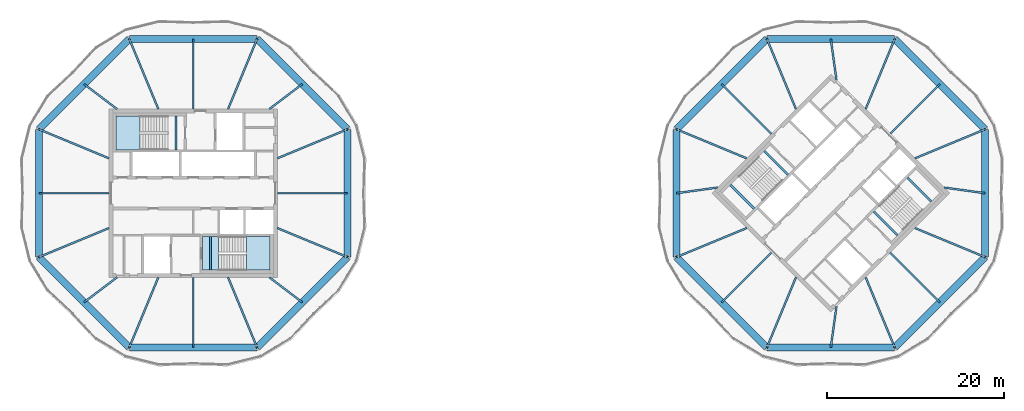
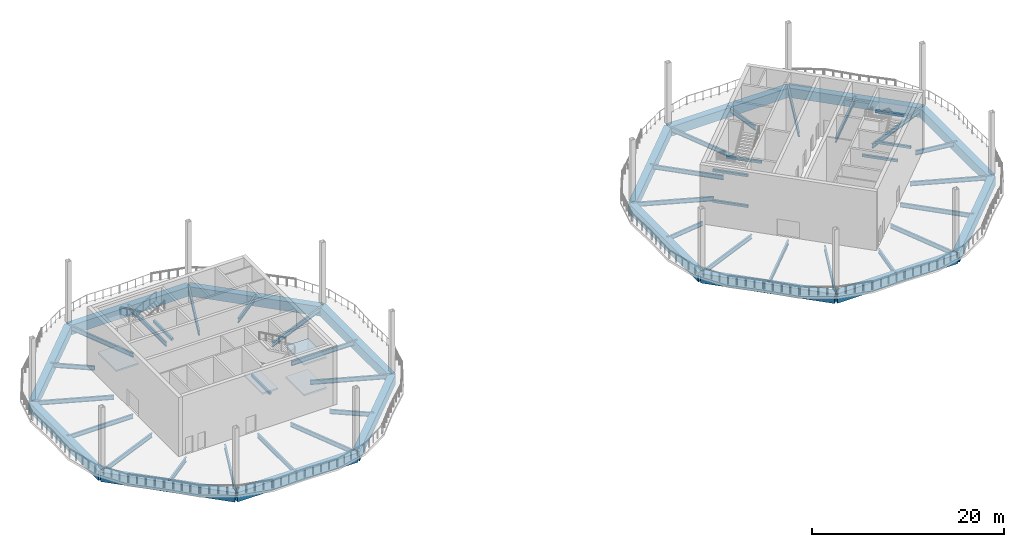
# One storey, part 3 of 12: 56 beams, 4 slabs, 2 elements without a shape of their own.
"""IFC4 building model written with IfcOpenShell, lengths in metres."""

from ifc_helpers import new_model, si_unit, direction, frame, origin, origin_2d, place, context, subcontext, project, spatial, polyline, rectangle, hollow_rectangle, i_section, outline, extrude, material, layer, layer_set, material_profile, profile_set, type_object, element, aggregate, save


model = new_model("IFC4")

# Units and contexts
model_context = context("Model", 3, precision=1e-05, world=origin(), true_north=direction((0.0, 1.0)))
body_context = subcontext(model_context, "Body", "Model", "MODEL_VIEW")
ifc_project = project(units=[si_unit("LENGTHUNIT", "METRE"), si_unit("AREAUNIT", "SQUARE_METRE"), si_unit("VOLUMEUNIT", "CUBIC_METRE"), si_unit("PLANEANGLEUNIT", "RADIAN"), si_unit("MASSUNIT", "GRAM", prefix="KILO")], contexts=[model_context])

# Site, building, storey
site_placement = place(None, origin())
site = spatial("IfcSite", under=ifc_project, at=site_placement, CompositionType="ELEMENT")
building_placement = place(site_placement, origin())
building = spatial("IfcBuilding", under=site, at=building_placement, Name="Ogive Gate Towers", CompositionType="ELEMENT")
storey_placement = place(building_placement, frame((0.0, 0.0, 248.39990234375)))
storey = spatial("IfcBuildingStorey", under=building, at=storey_placement, Name="L59", CompositionType="ELEMENT", Elevation=248.39990234375)

# Beams
ifc_material_1 = material(Name="Steel SM460", Category="steel")
ifc_material_profile_1 = material_profile(ifc_material_1, hollow_rectangle(XDim=0.800048828125, YDim=1.199951171875, WallThickness=0.050048828125, at=origin_2d()), Name="BX 1200x800x50")
ifc_profile_set_1 = profile_set([ifc_material_profile_1], Name="Steel SM460")
beam_type_1 = type_object("IfcBeamType", Name="Edge girder BX 1200x800x50", PredefinedType="BEAM", material=ifc_profile_set_1)
beam_1_placement = place(storey_placement, frame((-53.42431640625, -7.217529296875, -0.89990234375), z_axis=(0.707106781187, -0.707106781187, 0.0), x_axis=(0.707106781187, 0.707106781187, 0.0)))
element("IfcBeam", 1, at=beam_1_placement, inside=storey, type_object=beam_type_1, Name="T1/L59/SBM017", PredefinedType="BEAM", context=body_context, shape_type="SweptSolid", body=[
    extrude(hollow_rectangle(XDim=0.800048828125, YDim=1.199951171875, WallThickness=0.050048828125, at=origin_2d()), origin(), (0.0, 0.0, 1.0), 14.4345703125),
])
beam_2_placement = place(storey_placement, frame((-43.217529296875, -17.42431640625, -0.89990234375), z_axis=(1.0, 0.0, 0.0), x_axis=(0.0, 1.0, 0.0)))
element("IfcBeam", 2, at=beam_2_placement, inside=storey, type_object=beam_type_1, Name="T1/L59/SBM018", PredefinedType="BEAM", context=body_context, shape_type="SweptSolid", body=[
    extrude(hollow_rectangle(XDim=0.800048828125, YDim=1.199951171875, WallThickness=0.050048828125, at=origin_2d()), origin(), (0.0, 0.0, 1.0), 14.43505859375),
])
beam_3_placement = place(storey_placement, frame((-28.782470703125, -17.42431640625, -0.89990234375), z_axis=(0.707106781187, 0.707106781187, 0.0), x_axis=(-0.707106781187, 0.707106781187, 0.0)))
element("IfcBeam", 3, at=beam_3_placement, inside=storey, type_object=beam_type_1, Name="T1/L59/SBM019", PredefinedType="BEAM", context=body_context, shape_type="SweptSolid", body=[
    extrude(hollow_rectangle(XDim=0.800048828125, YDim=1.199951171875, WallThickness=0.050048828125, at=origin_2d()), origin(), (0.0, 0.0, 1.0), 14.4345703125),
])
beam_4_placement = place(storey_placement, frame((-18.57568359375, -7.217529296875, -0.89990234375), z_axis=(0.0, 1.0, 0.0), x_axis=(-1.0, 0.0, 0.0)))
element("IfcBeam", 4, at=beam_4_placement, inside=storey, type_object=beam_type_1, Name="T1/L59/SBM020", PredefinedType="BEAM", context=body_context, shape_type="SweptSolid", body=[
    extrude(hollow_rectangle(XDim=0.800048828125, YDim=1.199951171875, WallThickness=0.050048828125, at=origin_2d()), origin(), (0.0, 0.0, 1.0), 14.43505859375),
])
beam_5_placement = place(storey_placement, frame((-18.57568359375, 7.217529296875, -0.89990234375), z_axis=(-0.707106781187, 0.707106781187, 0.0), x_axis=(-0.707106781187, -0.707106781187, 0.0)))
element("IfcBeam", 5, at=beam_5_placement, inside=storey, type_object=beam_type_1, Name="T1/L59/SBM021", PredefinedType="BEAM", context=body_context, shape_type="SweptSolid", body=[
    extrude(hollow_rectangle(XDim=0.800048828125, YDim=1.199951171875, WallThickness=0.050048828125, at=origin_2d()), origin(), (0.0, 0.0, 1.0), 14.4345703125),
])
beam_6_placement = place(storey_placement, frame((-28.782470703125, 17.42431640625, -0.89990234375), z_axis=(-1.0, 0.0, 0.0), x_axis=(0.0, -1.0, 0.0)))
element("IfcBeam", 6, at=beam_6_placement, inside=storey, type_object=beam_type_1, Name="T1/L59/SBM022", PredefinedType="BEAM", context=body_context, shape_type="SweptSolid", body=[
    extrude(hollow_rectangle(XDim=0.800048828125, YDim=1.199951171875, WallThickness=0.050048828125, at=origin_2d()), origin(), (0.0, 0.0, 1.0), 14.43505859375),
])
beam_7_placement = place(storey_placement, frame((-43.217529296875, 17.42431640625, -0.89990234375), z_axis=(-0.707106781187, -0.707106781187, 0.0), x_axis=(0.707106781187, -0.707106781187, 0.0)))
element("IfcBeam", 7, at=beam_7_placement, inside=storey, type_object=beam_type_1, Name="T1/L59/SBM023", PredefinedType="BEAM", context=body_context, shape_type="SweptSolid", body=[
    extrude(hollow_rectangle(XDim=0.800048828125, YDim=1.199951171875, WallThickness=0.050048828125, at=origin_2d()), origin(), (0.0, 0.0, 1.0), 14.4345703125),
])
beam_8_placement = place(storey_placement, frame((-53.42431640625, 7.217529296875, -0.89990234375), z_axis=(0.0, -1.0, 0.0), x_axis=(1.0, 0.0, 0.0)))
element("IfcBeam", 8, at=beam_8_placement, inside=storey, type_object=beam_type_1, Name="T1/L59/SBM024", PredefinedType="BEAM", context=body_context, shape_type="SweptSolid", body=[
    extrude(hollow_rectangle(XDim=0.800048828125, YDim=1.199951171875, WallThickness=0.050048828125, at=origin_2d()), origin(), (0.0, 0.0, 1.0), 14.43505859375),
])
beam_9_placement = place(storey_placement, frame((18.57568359375, -7.217529296875, -0.89990234375), z_axis=(0.707106781187, -0.707106781187, 0.0), x_axis=(0.707106781187, 0.707106781187, 0.0)))
element("IfcBeam", 9, at=beam_9_placement, inside=storey, type_object=beam_type_1, Name="T2/L59/SBM017", PredefinedType="BEAM", context=body_context, shape_type="SweptSolid", body=[
    extrude(hollow_rectangle(XDim=0.800048828125, YDim=1.199951171875, WallThickness=0.050048828125, at=origin_2d()), origin(), (0.0, 0.0, 1.0), 14.4345703125),
])
beam_10_placement = place(storey_placement, frame((28.782470703125, -17.42431640625, -0.89990234375), z_axis=(1.0, 0.0, 0.0), x_axis=(0.0, 1.0, 0.0)))
element("IfcBeam", 10, at=beam_10_placement, inside=storey, type_object=beam_type_1, Name="T2/L59/SBM018", PredefinedType="BEAM", context=body_context, shape_type="SweptSolid", body=[
    extrude(hollow_rectangle(XDim=0.800048828125, YDim=1.199951171875, WallThickness=0.050048828125, at=origin_2d()), origin(), (0.0, 0.0, 1.0), 14.43505859375),
])
beam_11_placement = place(storey_placement, frame((43.217529296875, -17.42431640625, -0.89990234375), z_axis=(0.707106781187, 0.707106781187, 0.0), x_axis=(-0.707106781187, 0.707106781187, 0.0)))
element("IfcBeam", 11, at=beam_11_placement, inside=storey, type_object=beam_type_1, Name="T2/L59/SBM019", PredefinedType="BEAM", context=body_context, shape_type="SweptSolid", body=[
    extrude(hollow_rectangle(XDim=0.800048828125, YDim=1.199951171875, WallThickness=0.050048828125, at=origin_2d()), origin(), (0.0, 0.0, 1.0), 14.4345703125),
])
beam_12_placement = place(storey_placement, frame((53.42431640625, -7.217529296875, -0.89990234375), z_axis=(0.0, 1.0, 0.0), x_axis=(-1.0, 0.0, 0.0)))
element("IfcBeam", 12, at=beam_12_placement, inside=storey, type_object=beam_type_1, Name="T2/L59/SBM020", PredefinedType="BEAM", context=body_context, shape_type="SweptSolid", body=[
    extrude(hollow_rectangle(XDim=0.800048828125, YDim=1.199951171875, WallThickness=0.050048828125, at=origin_2d()), origin(), (0.0, 0.0, 1.0), 14.43505859375),
])
beam_13_placement = place(storey_placement, frame((53.42431640625, 7.217529296875, -0.89990234375), z_axis=(-0.707106781187, 0.707106781187, 0.0), x_axis=(-0.707106781187, -0.707106781187, 0.0)))
element("IfcBeam", 13, at=beam_13_placement, inside=storey, type_object=beam_type_1, Name="T2/L59/SBM021", PredefinedType="BEAM", context=body_context, shape_type="SweptSolid", body=[
    extrude(hollow_rectangle(XDim=0.800048828125, YDim=1.199951171875, WallThickness=0.050048828125, at=origin_2d()), origin(), (0.0, 0.0, 1.0), 14.4345703125),
])
beam_14_placement = place(storey_placement, frame((43.217529296875, 17.42431640625, -0.89990234375), z_axis=(-1.0, 0.0, 0.0), x_axis=(0.0, -1.0, 0.0)))
element("IfcBeam", 14, at=beam_14_placement, inside=storey, type_object=beam_type_1, Name="T2/L59/SBM022", PredefinedType="BEAM", context=body_context, shape_type="SweptSolid", body=[
    extrude(hollow_rectangle(XDim=0.800048828125, YDim=1.199951171875, WallThickness=0.050048828125, at=origin_2d()), origin(), (0.0, 0.0, 1.0), 14.43505859375),
])
beam_15_placement = place(storey_placement, frame((28.782470703125, 17.42431640625, -0.89990234375), z_axis=(-0.707106781187, -0.707106781187, 0.0), x_axis=(0.707106781187, -0.707106781187, 0.0)))
element("IfcBeam", 15, at=beam_15_placement, inside=storey, type_object=beam_type_1, Name="T2/L59/SBM023", PredefinedType="BEAM", context=body_context, shape_type="SweptSolid", body=[
    extrude(hollow_rectangle(XDim=0.800048828125, YDim=1.199951171875, WallThickness=0.050048828125, at=origin_2d()), origin(), (0.0, 0.0, 1.0), 14.4345703125),
])
beam_16_placement = place(storey_placement, frame((18.57568359375, 7.217529296875, -0.89990234375), z_axis=(0.0, -1.0, 0.0), x_axis=(1.0, 0.0, 0.0)))
element("IfcBeam", 16, at=beam_16_placement, inside=storey, type_object=beam_type_1, Name="T2/L59/SBM024", PredefinedType="BEAM", context=body_context, shape_type="SweptSolid", body=[
    extrude(hollow_rectangle(XDim=0.800048828125, YDim=1.199951171875, WallThickness=0.050048828125, at=origin_2d()), origin(), (0.0, 0.0, 1.0), 14.43505859375),
])
ifc_material_2 = material(Name="Concrete C40/50", Category="concrete")
ifc_material_profile_2 = material_profile(ifc_material_2, rectangle(XDim=0.25, YDim=0.300048828125, at=origin_2d()), Name="RC 250x300")
ifc_profile_set_2 = profile_set([ifc_material_profile_2], Name="Concrete C40/50")
beam_type_2 = type_object("IfcBeamType", Name="Landing bearer RC 250x300", PredefinedType="BEAM", material=ifc_profile_set_2)
for number, where, z_axis, x_axis, name in (
    (17, (-37.955078125, 8.699951171875, 3.550048828125), (0.0, -1.0, 0.0), (1.0, 0.0, 0.0), "T1 L59 stair 1 landing bearer 2"),
    (18, (-34.044921875, -8.699951171875, 3.550048828125), (0.0, 1.0, 0.0), (-1.0, 0.0, 0.0), "T1 L59 stair 2 landing bearer 2"),
    (19, (24.650390625, 0.9541015625, 1.60009765625), (0.707106781187, -0.707106781187, 0.0), (0.707106781187, 0.707106781187, 0.0), "T2 L59 stair 1 landing bearer 1"),
    (20, (28.4658203125, 4.769287109375, 3.550048828125), (0.707106781187, -0.707106781187, 0.0), (0.707106781187, 0.707106781187, 0.0), "T2 L59 stair 1 landing bearer 2"),
    (21, (24.650390625, 0.9541015625, 5.5), (0.707106781187, -0.707106781187, 0.0), (0.707106781187, 0.707106781187, 0.0), "T2 L59 stair 1 landing bearer 3"),
    (22, (47.349609375, -0.9541015625, 1.60009765625), (-0.707106781187, 0.707106781187, 0.0), (-0.707106781187, -0.707106781187, 0.0), "T2 L59 stair 2 landing bearer 1"),
    (23, (43.5341796875, -4.769287109375, 3.550048828125), (-0.707106781187, 0.707106781187, 0.0), (-0.707106781187, -0.707106781187, 0.0), "T2 L59 stair 2 landing bearer 2"),
    (24, (47.349609375, -0.9541015625, 5.5), (-0.707106781187, 0.707106781187, 0.0), (-0.707106781187, -0.707106781187, 0.0), "T2 L59 stair 2 landing bearer 3"),
):
    element("IfcBeam", number, at=place(storey_placement, frame(where, z_axis=z_axis, x_axis=x_axis)), inside=storey, type_object=beam_type_2, Name=name, PredefinedType="BEAM", context=body_context, shape_type="SweptSolid", body=[
        extrude(rectangle(XDim=0.25, YDim=0.300048828125, at=origin_2d()), origin(), (0.0, 0.0, 1.0), 3.824951171875),
    ])
ifc_material_3 = material(Name="Steel SM355", Category="steel")
ifc_material_profile_3 = material_profile(ifc_material_3, i_section(OverallWidth=0.2099609375, OverallDepth=0.550048828125, WebThickness=0.010986328125, FlangeThickness=0.01708984375, FilletRadius=0.02392578125, at=origin_2d()), Name="IPE 550")
ifc_profile_set_3 = profile_set([ifc_material_profile_3], Name="Steel SM355")
beam_type_3 = type_object("IfcBeamType", Name="Radial floor beam IPE 550", PredefinedType="BEAM", material=ifc_profile_set_3)
beam_17_placement = place(storey_placement, frame((-45.5, -3.93505859375, -0.574951171875), z_axis=(-0.923874941579, -0.382694515667, 0.0), x_axis=(0.382694515667, -0.923874941579, 0.0)))
element("IfcBeam", 25, at=beam_17_placement, inside=storey, type_object=beam_type_3, Name="T1/L59/SBM001", PredefinedType="BEAM", context=body_context, shape_type="SweptSolid", body=[
    extrude(i_section(OverallWidth=0.2099609375, OverallDepth=0.550048828125, WebThickness=0.010986328125, FlangeThickness=0.01708984375, FilletRadius=0.02392578125, at=origin_2d()), origin(), (0.0, 0.0, 1.0), 8.5771484375),
])
beam_18_placement = place(storey_placement, frame((-44.60009765625, -9.5, -0.574951171875), z_axis=(-0.796877025219, -0.604141545235, 0.0), x_axis=(0.604141545235, -0.796877025219, 0.0)))
element("IfcBeam", 26, at=beam_18_placement, inside=storey, type_object=beam_type_3, Name="T1/L59/SBM002", PredefinedType="BEAM", context=body_context, shape_type="SweptSolid", body=[
    extrude(i_section(OverallWidth=0.2099609375, OverallDepth=0.550048828125, WebThickness=0.010986328125, FlangeThickness=0.01708984375, FilletRadius=0.02392578125, at=origin_2d()), origin(), (0.0, 0.0, 1.0), 4.669189453125),
])
beam_19_placement = place(storey_placement, frame((-39.93505859375, -9.5, -0.574951171875), z_axis=(-0.382694515667, -0.923874941579, 0.0), x_axis=(0.923874941579, -0.382694515667, 0.0)))
element("IfcBeam", 27, at=beam_19_placement, inside=storey, type_object=beam_type_3, Name="T1/L59/SBM003", PredefinedType="BEAM", context=body_context, shape_type="SweptSolid", body=[
    extrude(i_section(OverallWidth=0.2099609375, OverallDepth=0.550048828125, WebThickness=0.010986328125, FlangeThickness=0.01708984375, FilletRadius=0.02392578125, at=origin_2d()), origin(), (0.0, 0.0, 1.0), 8.5771484375),
])
beam_20_placement = place(storey_placement, frame((-36.0, -9.5, -0.574951171875), z_axis=(0.0, -1.0, 0.0), x_axis=(1.0, 0.0, 0.0)))
element("IfcBeam", 28, at=beam_20_placement, inside=storey, type_object=beam_type_3, Name="T1/L59/SBM004", PredefinedType="BEAM", context=body_context, shape_type="SweptSolid", body=[
    extrude(i_section(OverallWidth=0.2099609375, OverallDepth=0.550048828125, WebThickness=0.010986328125, FlangeThickness=0.01708984375, FilletRadius=0.02392578125, at=origin_2d()), origin(), (0.0, 0.0, 1.0), 7.92431640625),
])
beam_21_placement = place(storey_placement, frame((-32.06494140625, -9.5, -0.574951171875), z_axis=(0.382694515667, -0.923874941579, 0.0), x_axis=(0.923874941579, 0.382694515667, 0.0)))
element("IfcBeam", 29, at=beam_21_placement, inside=storey, type_object=beam_type_3, Name="T1/L59/SBM005", PredefinedType="BEAM", context=body_context, shape_type="SweptSolid", body=[
    extrude(i_section(OverallWidth=0.2099609375, OverallDepth=0.550048828125, WebThickness=0.010986328125, FlangeThickness=0.01708984375, FilletRadius=0.02392578125, at=origin_2d()), origin(), (0.0, 0.0, 1.0), 8.5771484375),
])
beam_22_placement = place(storey_placement, frame((-27.39990234375, -9.5, -0.574951171875), z_axis=(0.796877025219, -0.604141545235, 0.0), x_axis=(0.604141545235, 0.796877025219, 0.0)))
element("IfcBeam", 30, at=beam_22_placement, inside=storey, type_object=beam_type_3, Name="T1/L59/SBM006", PredefinedType="BEAM", context=body_context, shape_type="SweptSolid", body=[
    extrude(i_section(OverallWidth=0.2099609375, OverallDepth=0.550048828125, WebThickness=0.010986328125, FlangeThickness=0.01708984375, FilletRadius=0.02392578125, at=origin_2d()), origin(), (0.0, 0.0, 1.0), 4.669189453125),
])
beam_23_placement = place(storey_placement, frame((-26.5, -3.93505859375, -0.574951171875), z_axis=(0.923874941579, -0.382694515667, 0.0), x_axis=(0.382694515667, 0.923874941579, 0.0)))
element("IfcBeam", 31, at=beam_23_placement, inside=storey, type_object=beam_type_3, Name="T1/L59/SBM007", PredefinedType="BEAM", context=body_context, shape_type="SweptSolid", body=[
    extrude(i_section(OverallWidth=0.2099609375, OverallDepth=0.550048828125, WebThickness=0.010986328125, FlangeThickness=0.01708984375, FilletRadius=0.02392578125, at=origin_2d()), origin(), (0.0, 0.0, 1.0), 8.5771484375),
])
beam_24_placement = place(storey_placement, frame((-26.5, 0.0, -0.574951171875), z_axis=(1.0, 0.0, 0.0), x_axis=(0.0, 1.0, 0.0)))
element("IfcBeam", 32, at=beam_24_placement, inside=storey, type_object=beam_type_3, Name="T1/L59/SBM008", PredefinedType="BEAM", context=body_context, shape_type="SweptSolid", body=[
    extrude(i_section(OverallWidth=0.2099609375, OverallDepth=0.550048828125, WebThickness=0.010986328125, FlangeThickness=0.01708984375, FilletRadius=0.02392578125, at=origin_2d()), origin(), (0.0, 0.0, 1.0), 7.92431640625),
])
beam_25_placement = place(storey_placement, frame((-26.5, 3.93505859375, -0.574951171875), z_axis=(0.923874941579, 0.382694515667, 0.0), x_axis=(-0.382694515667, 0.923874941579, 0.0)))
element("IfcBeam", 33, at=beam_25_placement, inside=storey, type_object=beam_type_3, Name="T1/L59/SBM009", PredefinedType="BEAM", context=body_context, shape_type="SweptSolid", body=[
    extrude(i_section(OverallWidth=0.2099609375, OverallDepth=0.550048828125, WebThickness=0.010986328125, FlangeThickness=0.01708984375, FilletRadius=0.02392578125, at=origin_2d()), origin(), (0.0, 0.0, 1.0), 8.5771484375),
])
beam_26_placement = place(storey_placement, frame((-27.39990234375, 9.5, -0.574951171875), z_axis=(0.796877025219, 0.604141545235, 0.0), x_axis=(-0.604141545235, 0.796877025219, 0.0)))
element("IfcBeam", 34, at=beam_26_placement, inside=storey, type_object=beam_type_3, Name="T1/L59/SBM010", PredefinedType="BEAM", context=body_context, shape_type="SweptSolid", body=[
    extrude(i_section(OverallWidth=0.2099609375, OverallDepth=0.550048828125, WebThickness=0.010986328125, FlangeThickness=0.01708984375, FilletRadius=0.02392578125, at=origin_2d()), origin(), (0.0, 0.0, 1.0), 4.669189453125),
])
beam_27_placement = place(storey_placement, frame((-32.06494140625, 9.5, -0.574951171875), z_axis=(0.382694515667, 0.923874941579, 0.0), x_axis=(-0.923874941579, 0.382694515667, 0.0)))
element("IfcBeam", 35, at=beam_27_placement, inside=storey, type_object=beam_type_3, Name="T1/L59/SBM011", PredefinedType="BEAM", context=body_context, shape_type="SweptSolid", body=[
    extrude(i_section(OverallWidth=0.2099609375, OverallDepth=0.550048828125, WebThickness=0.010986328125, FlangeThickness=0.01708984375, FilletRadius=0.02392578125, at=origin_2d()), origin(), (0.0, 0.0, 1.0), 8.5771484375),
])
beam_28_placement = place(storey_placement, frame((-36.0, 9.5, -0.574951171875), z_axis=(0.0, 1.0, 0.0), x_axis=(-1.0, 0.0, 0.0)))
element("IfcBeam", 36, at=beam_28_placement, inside=storey, type_object=beam_type_3, Name="T1/L59/SBM012", PredefinedType="BEAM", context=body_context, shape_type="SweptSolid", body=[
    extrude(i_section(OverallWidth=0.2099609375, OverallDepth=0.550048828125, WebThickness=0.010986328125, FlangeThickness=0.01708984375, FilletRadius=0.02392578125, at=origin_2d()), origin(), (0.0, 0.0, 1.0), 7.92431640625),
])
beam_29_placement = place(storey_placement, frame((-39.93505859375, 9.5, -0.574951171875), z_axis=(-0.382694515667, 0.923874941579, 0.0), x_axis=(-0.923874941579, -0.382694515667, 0.0)))
element("IfcBeam", 37, at=beam_29_placement, inside=storey, type_object=beam_type_3, Name="T1/L59/SBM013", PredefinedType="BEAM", context=body_context, shape_type="SweptSolid", body=[
    extrude(i_section(OverallWidth=0.2099609375, OverallDepth=0.550048828125, WebThickness=0.010986328125, FlangeThickness=0.01708984375, FilletRadius=0.02392578125, at=origin_2d()), origin(), (0.0, 0.0, 1.0), 8.5771484375),
])
beam_30_placement = place(storey_placement, frame((-44.60009765625, 9.5, -0.574951171875), z_axis=(-0.796877025219, 0.604141545235, 0.0), x_axis=(-0.604141545235, -0.796877025219, 0.0)))
element("IfcBeam", 38, at=beam_30_placement, inside=storey, type_object=beam_type_3, Name="T1/L59/SBM014", PredefinedType="BEAM", context=body_context, shape_type="SweptSolid", body=[
    extrude(i_section(OverallWidth=0.2099609375, OverallDepth=0.550048828125, WebThickness=0.010986328125, FlangeThickness=0.01708984375, FilletRadius=0.02392578125, at=origin_2d()), origin(), (0.0, 0.0, 1.0), 4.669189453125),
])
beam_31_placement = place(storey_placement, frame((-45.5, 3.93505859375, -0.574951171875), z_axis=(-0.923874941579, 0.382694515667, 0.0), x_axis=(-0.382694515667, -0.923874941579, 0.0)))
element("IfcBeam", 39, at=beam_31_placement, inside=storey, type_object=beam_type_3, Name="T1/L59/SBM015", PredefinedType="BEAM", context=body_context, shape_type="SweptSolid", body=[
    extrude(i_section(OverallWidth=0.2099609375, OverallDepth=0.550048828125, WebThickness=0.010986328125, FlangeThickness=0.01708984375, FilletRadius=0.02392578125, at=origin_2d()), origin(), (0.0, 0.0, 1.0), 8.5771484375),
])
beam_32_placement = place(storey_placement, frame((-45.5, 0.0, -0.574951171875), z_axis=(-1.0, 0.0, 0.0), x_axis=(0.0, -1.0, 0.0)))
element("IfcBeam", 40, at=beam_32_placement, inside=storey, type_object=beam_type_3, Name="T1/L59/SBM016", PredefinedType="BEAM", context=body_context, shape_type="SweptSolid", body=[
    extrude(i_section(OverallWidth=0.2099609375, OverallDepth=0.550048828125, WebThickness=0.010986328125, FlangeThickness=0.01708984375, FilletRadius=0.02392578125, at=origin_2d()), origin(), (0.0, 0.0, 1.0), 7.92431640625),
])
beam_33_placement = place(storey_placement, frame((26.5, -3.93505859375, -0.574951171875), z_axis=(-0.923874941579, -0.382694515667, 0.0), x_axis=(0.382694515667, -0.923874941579, 0.0)))
element("IfcBeam", 41, at=beam_33_placement, inside=storey, type_object=beam_type_3, Name="T2/L59/SBM001", PredefinedType="BEAM", context=body_context, shape_type="SweptSolid", body=[
    extrude(i_section(OverallWidth=0.2099609375, OverallDepth=0.550048828125, WebThickness=0.010986328125, FlangeThickness=0.01708984375, FilletRadius=0.02392578125, at=origin_2d()), origin(), (0.0, 0.0, 1.0), 8.5771484375),
])
beam_34_placement = place(storey_placement, frame((29.282470703125, -6.717529296875, -0.574951171875), z_axis=(-0.707106781187, -0.707106781187, 0.0), x_axis=(0.707106781187, -0.707106781187, 0.0)))
element("IfcBeam", 42, at=beam_34_placement, inside=storey, type_object=beam_type_3, Name="T2/L59/SBM002", PredefinedType="BEAM", context=body_context, shape_type="SweptSolid", body=[
    extrude(i_section(OverallWidth=0.2099609375, OverallDepth=0.550048828125, WebThickness=0.010986328125, FlangeThickness=0.01708984375, FilletRadius=0.02392578125, at=origin_2d()), origin(), (0.0, 0.0, 1.0), 7.92431640625),
])
beam_35_placement = place(storey_placement, frame((32.06494140625, -9.5, -0.574951171875), z_axis=(-0.382694515667, -0.923874941579, 0.0), x_axis=(0.923874941579, -0.382694515667, 0.0)))
element("IfcBeam", 43, at=beam_35_placement, inside=storey, type_object=beam_type_3, Name="T2/L59/SBM003", PredefinedType="BEAM", context=body_context, shape_type="SweptSolid", body=[
    extrude(i_section(OverallWidth=0.2099609375, OverallDepth=0.550048828125, WebThickness=0.010986328125, FlangeThickness=0.01708984375, FilletRadius=0.02392578125, at=origin_2d()), origin(), (0.0, 0.0, 1.0), 8.5771484375),
])
beam_36_placement = place(storey_placement, frame((36.636474609375, -12.798583984375, -0.574951171875), z_axis=(-0.136310067219, -0.990666223092, 0.0), x_axis=(0.990666223092, -0.136310067219, 0.0)))
element("IfcBeam", 44, at=beam_36_placement, inside=storey, type_object=beam_type_3, Name="T2/L59/SBM004", PredefinedType="BEAM", context=body_context, shape_type="SweptSolid", body=[
    extrude(i_section(OverallWidth=0.2099609375, OverallDepth=0.550048828125, WebThickness=0.010986328125, FlangeThickness=0.01708984375, FilletRadius=0.02392578125, at=origin_2d()), origin(), (0.0, 0.0, 1.0), 4.66943359375),
])
beam_37_placement = place(storey_placement, frame((39.93505859375, -9.5, -0.574951171875), z_axis=(0.382694515667, -0.923874941579, 0.0), x_axis=(0.923874941579, 0.382694515667, 0.0)))
element("IfcBeam", 45, at=beam_37_placement, inside=storey, type_object=beam_type_3, Name="T2/L59/SBM005", PredefinedType="BEAM", context=body_context, shape_type="SweptSolid", body=[
    extrude(i_section(OverallWidth=0.2099609375, OverallDepth=0.550048828125, WebThickness=0.010986328125, FlangeThickness=0.01708984375, FilletRadius=0.02392578125, at=origin_2d()), origin(), (0.0, 0.0, 1.0), 8.5771484375),
])
beam_38_placement = place(storey_placement, frame((42.717529296875, -6.717529296875, -0.574951171875), z_axis=(0.707106781187, -0.707106781187, 0.0), x_axis=(0.707106781187, 0.707106781187, 0.0)))
element("IfcBeam", 46, at=beam_38_placement, inside=storey, type_object=beam_type_3, Name="T2/L59/SBM006", PredefinedType="BEAM", context=body_context, shape_type="SweptSolid", body=[
    extrude(i_section(OverallWidth=0.2099609375, OverallDepth=0.550048828125, WebThickness=0.010986328125, FlangeThickness=0.01708984375, FilletRadius=0.02392578125, at=origin_2d()), origin(), (0.0, 0.0, 1.0), 7.92431640625),
])
beam_39_placement = place(storey_placement, frame((45.5, -3.93505859375, -0.574951171875), z_axis=(0.923874941579, -0.382694515667, 0.0), x_axis=(0.382694515667, 0.923874941579, 0.0)))
element("IfcBeam", 47, at=beam_39_placement, inside=storey, type_object=beam_type_3, Name="T2/L59/SBM007", PredefinedType="BEAM", context=body_context, shape_type="SweptSolid", body=[
    extrude(i_section(OverallWidth=0.2099609375, OverallDepth=0.550048828125, WebThickness=0.010986328125, FlangeThickness=0.01708984375, FilletRadius=0.02392578125, at=origin_2d()), origin(), (0.0, 0.0, 1.0), 8.5771484375),
])
beam_40_placement = place(storey_placement, frame((48.798583984375, 0.636474609375, -0.574951171875), z_axis=(0.990666223092, -0.136310067219, 0.0), x_axis=(0.136310067219, 0.990666223092, 0.0)))
element("IfcBeam", 48, at=beam_40_placement, inside=storey, type_object=beam_type_3, Name="T2/L59/SBM008", PredefinedType="BEAM", context=body_context, shape_type="SweptSolid", body=[
    extrude(i_section(OverallWidth=0.2099609375, OverallDepth=0.550048828125, WebThickness=0.010986328125, FlangeThickness=0.01708984375, FilletRadius=0.02392578125, at=origin_2d()), origin(), (0.0, 0.0, 1.0), 4.66943359375),
])
beam_41_placement = place(storey_placement, frame((45.5, 3.93505859375, -0.574951171875), z_axis=(0.923874941579, 0.382694515667, 0.0), x_axis=(-0.382694515667, 0.923874941579, 0.0)))
element("IfcBeam", 49, at=beam_41_placement, inside=storey, type_object=beam_type_3, Name="T2/L59/SBM009", PredefinedType="BEAM", context=body_context, shape_type="SweptSolid", body=[
    extrude(i_section(OverallWidth=0.2099609375, OverallDepth=0.550048828125, WebThickness=0.010986328125, FlangeThickness=0.01708984375, FilletRadius=0.02392578125, at=origin_2d()), origin(), (0.0, 0.0, 1.0), 8.5771484375),
])
beam_42_placement = place(storey_placement, frame((42.717529296875, 6.717529296875, -0.574951171875), z_axis=(0.707106781187, 0.707106781187, 0.0), x_axis=(-0.707106781187, 0.707106781187, 0.0)))
element("IfcBeam", 50, at=beam_42_placement, inside=storey, type_object=beam_type_3, Name="T2/L59/SBM010", PredefinedType="BEAM", context=body_context, shape_type="SweptSolid", body=[
    extrude(i_section(OverallWidth=0.2099609375, OverallDepth=0.550048828125, WebThickness=0.010986328125, FlangeThickness=0.01708984375, FilletRadius=0.02392578125, at=origin_2d()), origin(), (0.0, 0.0, 1.0), 7.92431640625),
])
beam_43_placement = place(storey_placement, frame((39.93505859375, 9.5, -0.574951171875), z_axis=(0.382694515667, 0.923874941579, 0.0), x_axis=(-0.923874941579, 0.382694515667, 0.0)))
element("IfcBeam", 51, at=beam_43_placement, inside=storey, type_object=beam_type_3, Name="T2/L59/SBM011", PredefinedType="BEAM", context=body_context, shape_type="SweptSolid", body=[
    extrude(i_section(OverallWidth=0.2099609375, OverallDepth=0.550048828125, WebThickness=0.010986328125, FlangeThickness=0.01708984375, FilletRadius=0.02392578125, at=origin_2d()), origin(), (0.0, 0.0, 1.0), 8.5771484375),
])
beam_44_placement = place(storey_placement, frame((36.636474609375, 12.798583984375, -0.574951171875), z_axis=(-0.136310067219, 0.990666223092, 0.0), x_axis=(-0.990666223092, -0.136310067219, 0.0)))
element("IfcBeam", 52, at=beam_44_placement, inside=storey, type_object=beam_type_3, Name="T2/L59/SBM012", PredefinedType="BEAM", context=body_context, shape_type="SweptSolid", body=[
    extrude(i_section(OverallWidth=0.2099609375, OverallDepth=0.550048828125, WebThickness=0.010986328125, FlangeThickness=0.01708984375, FilletRadius=0.02392578125, at=origin_2d()), origin(), (0.0, 0.0, 1.0), 4.66943359375),
])
beam_45_placement = place(storey_placement, frame((32.06494140625, 9.5, -0.574951171875), z_axis=(-0.382694515667, 0.923874941579, 0.0), x_axis=(-0.923874941579, -0.382694515667, 0.0)))
element("IfcBeam", 53, at=beam_45_placement, inside=storey, type_object=beam_type_3, Name="T2/L59/SBM013", PredefinedType="BEAM", context=body_context, shape_type="SweptSolid", body=[
    extrude(i_section(OverallWidth=0.2099609375, OverallDepth=0.550048828125, WebThickness=0.010986328125, FlangeThickness=0.01708984375, FilletRadius=0.02392578125, at=origin_2d()), origin(), (0.0, 0.0, 1.0), 8.5771484375),
])
beam_46_placement = place(storey_placement, frame((29.282470703125, 6.717529296875, -0.574951171875), z_axis=(-0.707106781187, 0.707106781187, 0.0), x_axis=(-0.707106781187, -0.707106781187, 0.0)))
element("IfcBeam", 54, at=beam_46_placement, inside=storey, type_object=beam_type_3, Name="T2/L59/SBM014", PredefinedType="BEAM", context=body_context, shape_type="SweptSolid", body=[
    extrude(i_section(OverallWidth=0.2099609375, OverallDepth=0.550048828125, WebThickness=0.010986328125, FlangeThickness=0.01708984375, FilletRadius=0.02392578125, at=origin_2d()), origin(), (0.0, 0.0, 1.0), 7.92431640625),
])
beam_47_placement = place(storey_placement, frame((26.5, 3.93505859375, -0.574951171875), z_axis=(-0.923874941579, 0.382694515667, 0.0), x_axis=(-0.382694515667, -0.923874941579, 0.0)))
element("IfcBeam", 55, at=beam_47_placement, inside=storey, type_object=beam_type_3, Name="T2/L59/SBM015", PredefinedType="BEAM", context=body_context, shape_type="SweptSolid", body=[
    extrude(i_section(OverallWidth=0.2099609375, OverallDepth=0.550048828125, WebThickness=0.010986328125, FlangeThickness=0.01708984375, FilletRadius=0.02392578125, at=origin_2d()), origin(), (0.0, 0.0, 1.0), 8.5771484375),
])
beam_48_placement = place(storey_placement, frame((23.201416015625, 0.636474609375, -0.574951171875), z_axis=(-0.990666223092, -0.136310067219, 0.0), x_axis=(0.136310067219, -0.990666223092, 0.0)))
element("IfcBeam", 56, at=beam_48_placement, inside=storey, type_object=beam_type_3, Name="T2/L59/SBM016", PredefinedType="BEAM", context=body_context, shape_type="SweptSolid", body=[
    extrude(i_section(OverallWidth=0.2099609375, OverallDepth=0.550048828125, WebThickness=0.010986328125, FlangeThickness=0.01708984375, FilletRadius=0.02392578125, at=origin_2d()), origin(), (0.0, 0.0, 1.0), 4.66943359375),
])

# Stair, slab
stair_type = type_object("IfcStairType", Name="Escape stair 1840 wide", PredefinedType="HALF_TURN_STAIR", material=ifc_material_2)
stair_1_placement = place(storey_placement, origin())
stair_1 = element("IfcStair", 57, at=stair_1_placement, inside=storey, type_object=stair_type, Name="L59 Escape stair 1", PredefinedType="HALF_TURN_STAIR")
ifc_layer = layer(ifc_material_2, 0.199951171875)
ifc_layer_set = layer_set([ifc_layer], Name="Stair landing 200 mm")
slab_type = type_object("IfcSlabType", Name="Stair landing 200 mm", PredefinedType="LANDING", material=ifc_layer_set)
slab_1_placement = place(storey_placement, frame((0.0, 0.0, 1.75)))
slab_1 = element("IfcSlab", 58, at=slab_1_placement, type_object=slab_type, Name="ST1 landing 1", PredefinedType="LANDING", context=body_context, shape_type="SweptSolid", body=[
    extrude(outline(polyline([(-42.00146484375, 8.699951171875), (-44.699951171875, 8.699951171875), (-44.699951171875, 4.875), (-42.00146484375, 4.875), (-42.00146484375, 8.699951171875)])), origin(), (0.0, 0.0, 1.0), 0.2001953125),
])
aggregate(stair_1, [slab_1])

# Stair, slabs
stair_2_placement = place(storey_placement, origin())
stair_2 = element("IfcStair", 59, at=stair_2_placement, inside=storey, type_object=stair_type, Name="L59 Escape stair 2", PredefinedType="HALF_TURN_STAIR")
slab_2_placement = place(storey_placement, frame((0.0, 0.0, 1.75)))
slab_2 = element("IfcSlab", 60, at=slab_2_placement, type_object=slab_type, Name="ST2 landing 1", PredefinedType="LANDING", context=body_context, shape_type="SweptSolid", body=[
    extrude(outline(polyline([(-29.99853515625, -8.699951171875), (-27.300048828125, -8.699951171875), (-27.300048828125, -4.875), (-29.99853515625, -4.875), (-29.99853515625, -8.699951171875)])), origin(), (0.0, 0.0, 1.0), 0.2001953125),
])
slab_3_placement = place(storey_placement, frame((0.0, 0.0, 3.7001953125)))
slab_3 = element("IfcSlab", 61, at=slab_3_placement, type_object=slab_type, Name="ST2 landing 2", PredefinedType="LANDING", context=body_context, shape_type="SweptSolid", body=[
    extrude(outline(polyline([(-34.97509765625, -8.699951171875), (-33.114990234375, -8.699951171875), (-33.114990234375, -4.875), (-34.97509765625, -4.875), (-34.97509765625, -8.699951171875)])), origin(), (0.0, 0.0, 1.0), 0.199951171875),
])
slab_4_placement = place(storey_placement, frame((0.0, 0.0, 5.650146484375)))
slab_4 = element("IfcSlab", 62, at=slab_4_placement, type_object=slab_type, Name="ST2 landing 3", PredefinedType="LANDING", context=body_context, shape_type="SweptSolid", body=[
    extrude(outline(polyline([(-29.99853515625, -8.699951171875), (-27.300048828125, -8.699951171875), (-27.300048828125, -4.875), (-29.99853515625, -4.875), (-29.99853515625, -8.699951171875)])), origin(), (0.0, 0.0, 1.0), 0.199951171875),
])
aggregate(stair_2, [slab_2, slab_3, slab_4])

save(model, "model.ifc")
